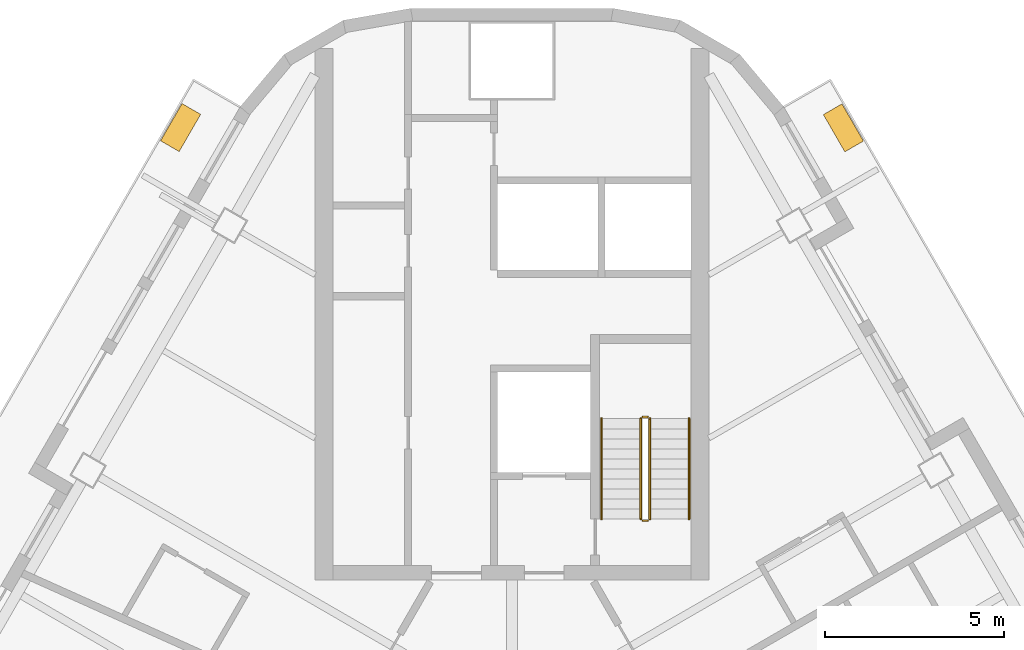
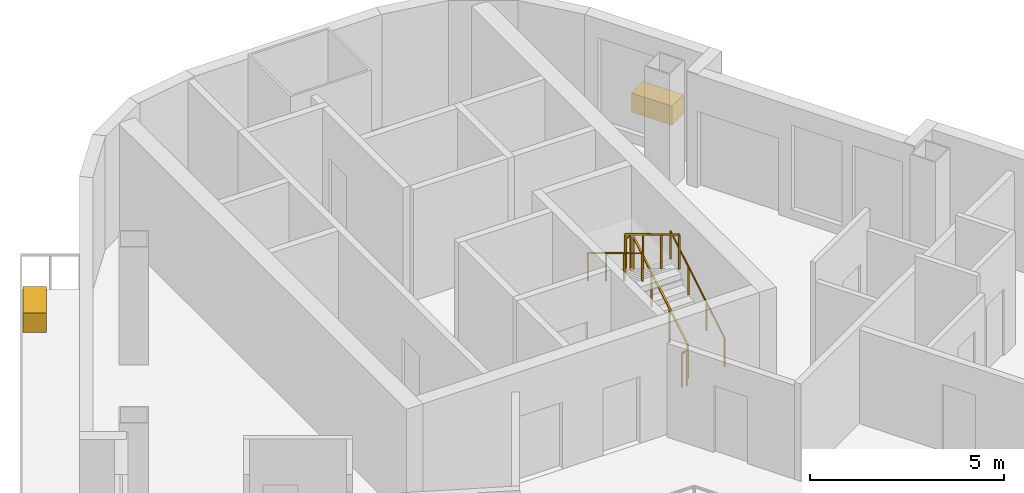
# One storey, part 14 of 14: 6 railings, 2 coverings.
"""IFC4 building model written with IfcOpenShell, lengths in metres."""

from ifc_helpers import new_model, si_unit, direction, frame, origin, origin_2d, place, context, subcontext, project, spatial, rectangle, circle, extrude, material, type_object, element, save


model = new_model("IFC4")

# Units and contexts
model_context = context("Model", 3, precision=1e-05, world=origin(), true_north=direction((0.0, 1.0)))
body_context = subcontext(model_context, "Body", "Model", "MODEL_VIEW")
ifc_project = project(units=[si_unit("LENGTHUNIT", "METRE"), si_unit("AREAUNIT", "SQUARE_METRE"), si_unit("VOLUMEUNIT", "CUBIC_METRE"), si_unit("PLANEANGLEUNIT", "RADIAN"), si_unit("MASSUNIT", "GRAM", prefix="KILO")], contexts=[model_context])

# Site, building, storey
site_placement = place(None, origin())
site = spatial("IfcSite", under=ifc_project, at=site_placement, CompositionType="ELEMENT")
building_placement = place(site_placement, origin())
building = spatial("IfcBuilding", under=site, at=building_placement, Name="Apuvela Tower Hotel", CompositionType="ELEMENT")
storey_placement = place(building_placement, frame((0.0, 0.0, 220.60009765625)))
storey = spatial("IfcBuildingStorey", under=building, at=storey_placement, Name="L54", CompositionType="ELEMENT", Elevation=220.60009765625)

# Railings
ifc_material_1 = material(Name="Steel S275 balustrade", Category="steel")
railing_type_1 = type_object("IfcRailingType", Name="COR-GUARD-1100", PredefinedType="GUARDRAIL", material=ifc_material_1)
railing_1_placement = place(storey_placement, frame((3.85009765625, 14.60009765625, 0.16796875)))
element("IfcRailing", 1, at=railing_1_placement, inside=storey, type_object=railing_type_1, Name="L54 ST1 stair guard 1", PredefinedType="GUARDRAIL", context=body_context, shape_type="SweptSolid", body=[
    extrude(rectangle(XDim=0.048095703125, YDim=0.048095703125, at=origin_2d()), frame((0.0, 0.0, 1.076171875), z_axis=(0.0, 0.857222391501, 0.514946377315), x_axis=(-1.0, 0.0, 0.0)), (0.0, 0.0, 1.0), 3.26611328125),
    extrude(rectangle(XDim=0.0419921875, YDim=0.0419921875, at=origin_2d()), origin(), (0.0, 0.0, 1.0), 1.052001953125),
    extrude(rectangle(XDim=0.0419921875, YDim=0.0419921875, at=origin_2d()), frame((0.0, 0.933349609375, 0.560546875)), (0.0, 0.0, 1.0), 1.052001953125),
    extrude(rectangle(XDim=0.0419921875, YDim=0.0419921875, at=origin_2d()), frame((0.0, 1.866455078125, 1.121337890625)), (0.0, 0.0, 1.0), 1.052001953125),
    extrude(rectangle(XDim=0.0419921875, YDim=0.0419921875, at=origin_2d()), frame((0.0, 2.7998046875, 1.681884765625)), (0.0, 0.0, 1.0), 1.052001953125),
])
railing_2_placement = place(storey_placement, frame((3.800048828125, 17.449951171875, 1.849853515625)))
element("IfcRailing", 2, at=railing_2_placement, inside=storey, type_object=railing_type_1, Name="L54 ST1 stair guard 2", PredefinedType="GUARDRAIL", context=body_context, shape_type="SweptSolid", body=[
    extrude(rectangle(XDim=0.048095703125, YDim=0.048095703125, at=origin_2d()), frame((0.0, 0.0, 1.076171875), z_axis=(-1.0, 0.0, 0.0), x_axis=(0.0, -1.0, 0.0)), (0.0, 0.0, 1.0), 0.150146484375),
    extrude(rectangle(XDim=0.0419921875, YDim=0.0419921875, at=origin_2d()), origin(), (0.0, 0.0, 1.0), 1.052001953125),
    extrude(rectangle(XDim=0.0419921875, YDim=0.0419921875, at=origin_2d()), frame((-0.150146484375, 0.0, 0.0)), (0.0, 0.0, 1.0), 1.052001953125),
])
railing_3_placement = place(storey_placement, frame((3.60009765625, 17.39990234375, 2.01806640625)))
element("IfcRailing", 3, at=railing_3_placement, inside=storey, type_object=railing_type_1, Name="L54 ST1 stair guard 3", PredefinedType="GUARDRAIL", context=body_context, shape_type="SweptSolid", body=[
    extrude(rectangle(XDim=0.048095703125, YDim=0.048095703125, at=origin_2d()), frame((0.0, 0.0, 1.076171875), z_axis=(0.0, -0.857222391501, 0.514946377315), x_axis=(1.0, 0.0, 0.0)), (0.0, 0.0, 1.0), 3.26611328125),
    extrude(rectangle(XDim=0.0419921875, YDim=0.0419921875, at=origin_2d()), origin(), (0.0, 0.0, 1.0), 1.052001953125),
    extrude(rectangle(XDim=0.0419921875, YDim=0.0419921875, at=origin_2d()), frame((0.0, -0.933349609375, 0.560546875)), (0.0, 0.0, 1.0), 1.052001953125),
    extrude(rectangle(XDim=0.0419921875, YDim=0.0419921875, at=origin_2d()), frame((0.0, -1.866455078125, 1.121337890625)), (0.0, 0.0, 1.0), 1.052001953125),
    extrude(rectangle(XDim=0.0419921875, YDim=0.0419921875, at=origin_2d()), frame((0.0, -2.7998046875, 1.681884765625)), (0.0, 0.0, 1.0), 1.052001953125),
])
railing_4_placement = place(storey_placement, frame((3.800048828125, 14.550048828125, 0.0)))
element("IfcRailing", 4, at=railing_4_placement, inside=storey, type_object=railing_type_1, Name="L54 ST1 stair guard 4", PredefinedType="GUARDRAIL", context=body_context, shape_type="SweptSolid", body=[
    extrude(rectangle(XDim=0.048095703125, YDim=0.048095703125, at=origin_2d()), frame((0.0, 0.0, 1.076171875), z_axis=(-1.0, 0.0, 0.0), x_axis=(0.0, -1.0, 0.0)), (0.0, 0.0, 1.0), 0.150146484375),
    extrude(rectangle(XDim=0.0419921875, YDim=0.0419921875, at=origin_2d()), origin(), (0.0, 0.0, 1.0), 1.052001953125),
    extrude(rectangle(XDim=0.0419921875, YDim=0.0419921875, at=origin_2d()), frame((-0.150146484375, 0.0, 0.0)), (0.0, 0.0, 1.0), 1.052001953125),
])
ifc_material_2 = material(Name="Stainless steel 316 handrail", Category="steel")
railing_type_2 = type_object("IfcRailingType", Name="COR-HANDRAIL-900", PredefinedType="HANDRAIL", material=ifc_material_2)
railing_5_placement = place(storey_placement, frame((4.949951171875, 14.60009765625, 0.16796875)))
element("IfcRailing", 5, at=railing_5_placement, inside=storey, type_object=railing_type_2, Name="L54 ST1 stair handrail 1", PredefinedType="HANDRAIL", context=body_context, shape_type="SweptSolid", body=[
    extrude(circle(Radius=0.02392578125, at=origin_2d()), frame((0.0, 0.0, 0.8759765625), z_axis=(0.0, 0.857222391501, 0.514946377315), x_axis=(-1.0, 0.0, 0.0)), (0.0, 0.0, 1.0), 3.26611328125),
    extrude(rectangle(XDim=0.0419921875, YDim=0.0419921875, at=origin_2d()), origin(), (0.0, 0.0, 1.0), 0.851806640625),
    extrude(rectangle(XDim=0.0419921875, YDim=0.0419921875, at=origin_2d()), frame((0.0, 0.933349609375, 0.560546875)), (0.0, 0.0, 1.0), 0.851806640625),
    extrude(rectangle(XDim=0.0419921875, YDim=0.0419921875, at=origin_2d()), frame((0.0, 1.866455078125, 1.121337890625)), (0.0, 0.0, 1.0), 0.851806640625),
    extrude(rectangle(XDim=0.0419921875, YDim=0.0419921875, at=origin_2d()), frame((0.0, 2.7998046875, 1.681884765625)), (0.0, 0.0, 1.0), 0.851806640625),
])
railing_6_placement = place(storey_placement, frame((2.5, 17.39990234375, 2.01806640625)))
element("IfcRailing", 6, at=railing_6_placement, inside=storey, type_object=railing_type_2, Name="L54 ST1 stair handrail 2", PredefinedType="HANDRAIL", context=body_context, shape_type="SweptSolid", body=[
    extrude(circle(Radius=0.02392578125, at=origin_2d()), frame((0.0, 0.0, 0.8759765625), z_axis=(0.0, -0.857222391501, 0.514946377315), x_axis=(1.0, 0.0, 0.0)), (0.0, 0.0, 1.0), 3.26611328125),
    extrude(rectangle(XDim=0.0419921875, YDim=0.0419921875, at=origin_2d()), origin(), (0.0, 0.0, 1.0), 0.851806640625),
    extrude(rectangle(XDim=0.0419921875, YDim=0.0419921875, at=origin_2d()), frame((0.0, -0.933349609375, 0.560546875)), (0.0, 0.0, 1.0), 0.851806640625),
    extrude(rectangle(XDim=0.0419921875, YDim=0.0419921875, at=origin_2d()), frame((0.0, -1.866455078125, 1.121337890625)), (0.0, 0.0, 1.0), 0.851806640625),
    extrude(rectangle(XDim=0.0419921875, YDim=0.0419921875, at=origin_2d()), frame((0.0, -2.7998046875, 1.681884765625)), (0.0, 0.0, 1.0), 0.851806640625),
])

# Coverings
ifc_material_3 = material(Name="Planting substrate and soil, planted")
covering_type = type_object("IfcCoveringType", Name="ENV-PLANTER-1200x600", PredefinedType="USERDEFINED", material=ifc_material_3)
for number, where, z_axis, x_axis, name in (
    (7, (9.2578125, 25.52490234375, -0.000244140625), (0.0, 0.0, 1.0), (-0.5, 0.866025403784, 0.0), "Planter NE3"),
    (8, (-9.253662109375, 25.5322265625, -0.000244140625), (0.0, 0.0, 1.0), (-0.5, -0.866025403784, 0.0), "Planter NW4"),
):
    element("IfcCovering", number, at=place(storey_placement, frame(where, z_axis=z_axis, x_axis=x_axis)), inside=storey, type_object=covering_type, Name=name, ObjectType="PLANTER", PredefinedType="USERDEFINED", context=body_context, shape_type="SweptSolid", body=[
        extrude(rectangle(XDim=1.199951171875, YDim=0.60009765625, at=origin_2d()), origin(), (0.0, 0.0, 1.0), 0.60009765625),
    ])

save(model, "model.ifc")
